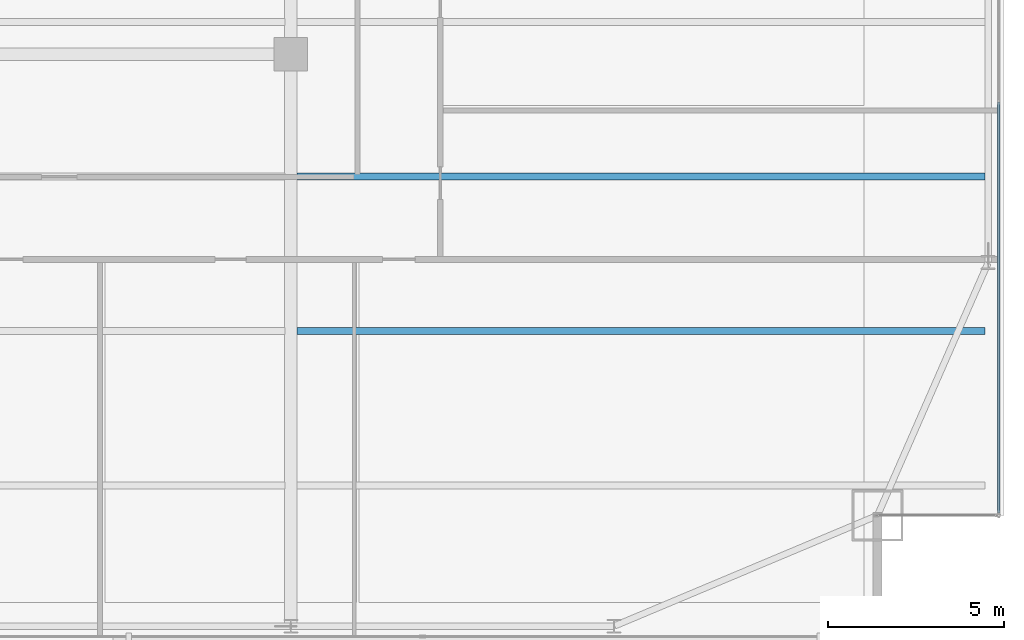
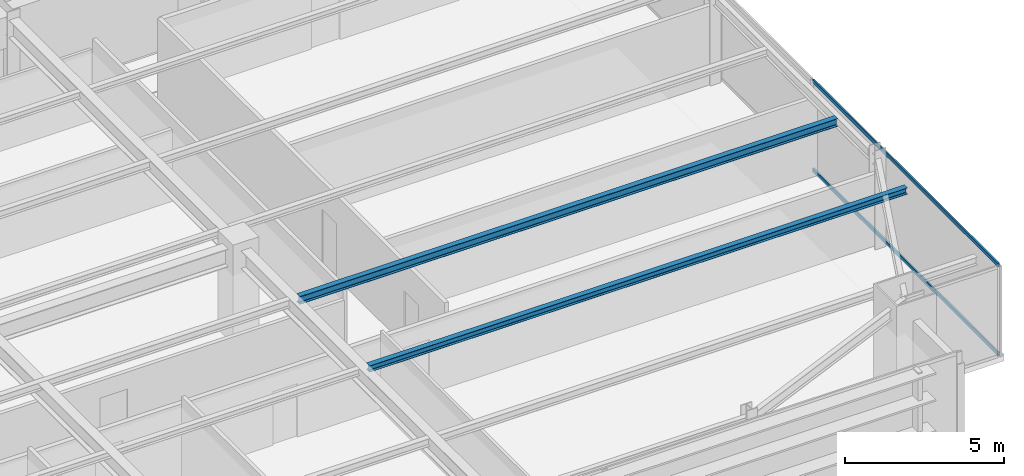
# One storey, part 17 of 33: 2 beams, 2 members, 1 element without a shape of its own.
"""IFC4 building model written with IfcOpenShell, lengths in metres."""

from ifc_helpers import new_model, si_unit, direction, frame, origin, origin_2d, place, context, subcontext, project, spatial, hollow_rectangle, i_section, extrude, source, transform, mapped, material, layer, layer_set, material_profile, profile_set, type_object, type_shapes, element, aggregate, save


model = new_model("IFC4")

# Units and contexts
model_context = context("Model", 3, precision=1e-05, world=origin(), true_north=direction((0.0, 1.0)))
body_context = subcontext(model_context, "Body", "Model", "MODEL_VIEW")
ifc_project = project(units=[si_unit("LENGTHUNIT", "METRE"), si_unit("AREAUNIT", "SQUARE_METRE"), si_unit("VOLUMEUNIT", "CUBIC_METRE"), si_unit("PLANEANGLEUNIT", "RADIAN"), si_unit("MASSUNIT", "GRAM", prefix="KILO")], contexts=[model_context])

# Site, building, storey
site_placement = place(None, origin())
site = spatial("IfcSite", under=ifc_project, at=site_placement, CompositionType="ELEMENT")
building_placement = place(site_placement, origin())
building = spatial("IfcBuilding", under=site, at=building_placement, Name="Varnel Quay Broadcast Tower", CompositionType="ELEMENT")
storey_placement = place(building_placement, frame((0.0, 0.0, 137.199951171875)))
storey = spatial("IfcBuildingStorey", under=building, at=storey_placement, Name="L33", CompositionType="ELEMENT", Elevation=137.199951171875)

# Beams
ifc_material_1 = material(Name="Structural Steel CSA G40.21 350W", Category="steel")
ifc_material_profile_1 = material_profile(ifc_material_1, i_section(OverallWidth=0.202880859375, OverallDepth=0.302978515625, WebThickness=0.007568359375, FlangeThickness=0.01318359375, FilletRadius=0.011962890625, at=origin_2d()), Name="W310X60")
ifc_profile_set_1 = profile_set([ifc_material_profile_1], Name="Structural Steel CSA G40.21 350W")
beam_type_1 = type_object("IfcBeamType", Name="Beam_W310X60", PredefinedType="JOIST", material=ifc_profile_set_1)
shared_shape_1 = source(origin(), body_context, "Body", "SweptSolid", [
    extrude(i_section(OverallWidth=0.202880859375, OverallDepth=0.302978515625, WebThickness=0.007568359375, FlangeThickness=0.01318359375, FilletRadius=0.011962890625, at=origin_2d()), origin(), (0.0, 0.0, 1.0), 19.592041015625),
])
type_shapes(beam_type_1, [shared_shape_1])
beam_1_placement = place(storey_placement, frame((43.37255859375, 17.449951171875, 3.32861328125), z_axis=(1.0, 0.0, 0.0), x_axis=(0.0, 1.0, 0.0)))
element("IfcBeam", 1, at=beam_1_placement, inside=storey, type_object=beam_type_1, Name="L33 East Floor Joist 3", PredefinedType="JOIST", context=body_context, shape_type="MappedRepresentation", body=[
    mapped(shared_shape_1, transform((0.0, 0.0, 0.0), x_axis=(1.0, 0.0, 0.0), y_axis=(0.0, 1.0, 0.0), z_axis=(0.0, 0.0, 1.0), scale=1.0)),
])
ifc_material_profile_2 = material_profile(ifc_material_1, i_section(OverallWidth=0.201904296875, OverallDepth=0.2470703125, WebThickness=0.00732421875, FlangeThickness=0.010986328125, FilletRadius=0.010986328125, at=origin_2d()), Name="W250X49")
ifc_profile_set_2 = profile_set([ifc_material_profile_2], Name="Structural Steel CSA G40.21 350W")
beam_type_2 = type_object("IfcBeamType", Name="Beam_W250X49", PredefinedType="JOIST", material=ifc_profile_set_2)
shared_shape_2 = source(origin(), body_context, "Body", "SweptSolid", [
    extrude(i_section(OverallWidth=0.201904296875, OverallDepth=0.2470703125, WebThickness=0.00732421875, FlangeThickness=0.010986328125, FilletRadius=0.010986328125, at=origin_2d()), origin(), (0.0, 0.0, 1.0), 19.592041015625),
])
type_shapes(beam_type_2, [shared_shape_2])
beam_2_placement = place(storey_placement, frame((43.37255859375, 13.050048828125, 3.3564453125), z_axis=(1.0, 0.0, 0.0), x_axis=(0.0, 1.0, 0.0)))
element("IfcBeam", 2, at=beam_2_placement, inside=storey, type_object=beam_type_2, Name="L33 East Floor Joist 2", PredefinedType="JOIST", context=body_context, shape_type="MappedRepresentation", body=[
    mapped(shared_shape_2, transform((0.0, 0.0, 0.0), x_axis=(1.0, 0.0, 0.0), y_axis=(0.0, 1.0, 0.0), z_axis=(0.0, 0.0, 1.0), scale=1.0)),
])

# Curtain wall, members
ifc_material_2 = material(Name="Anodised Bronze Aluminium 6063-T6", Category="aluminium")
ifc_layer = layer(ifc_material_2, 0.18994140625, Name="Anodised Bronze Aluminium 6063-T6")
ifc_layer_set = layer_set([ifc_layer], Name="Anodised Bronze Aluminium 6063-T6")
curtain_wall_type = type_object("IfcCurtainWallType", Name="CW_LowerTower", PredefinedType="NOTDEFINED", material=ifc_layer_set)
curtain_wall_placement = place(storey_placement, origin())
curtain_wall = element("IfcCurtainWall", 3, at=curtain_wall_placement, inside=storey, type_object=curtain_wall_type, Name="L33 East Unitised Curtain Wall", PredefinedType="NOTDEFINED")
ifc_material_profile_3 = material_profile(ifc_material_2, hollow_rectangle(XDim=0.06005859375, YDim=0.14501953125, WallThickness=0.00341796875, at=origin_2d()), Name="ALU60X145X3.5")
ifc_profile_set_3 = profile_set([ifc_material_profile_3], Name="Anodised Bronze Aluminium 6063-T6")
member_type = type_object("IfcMemberType", Name="Tran_CWS-02", PredefinedType="USERDEFINED", material=ifc_profile_set_3)
shared_shape_3 = source(origin(), body_context, "Body", "SweptSolid", [
    extrude(hollow_rectangle(XDim=0.06005859375, YDim=0.14501953125, WallThickness=0.00341796875, at=origin_2d()), origin(), (0.0, 0.0, 1.0), 11.69482421875),
])
type_shapes(member_type, [shared_shape_3])
member_1_placement = place(storey_placement, frame((63.35009765625, 7.8701171875, 0.030029296875), z_axis=(0.0, 1.0, 0.0), x_axis=(-1.0, 0.0, 0.0)))
member_1 = element("IfcMember", 4, at=member_1_placement, type_object=member_type, Name="CWS-02 transom 1.1", ObjectType="TRANSOM", PredefinedType="USERDEFINED", context=body_context, shape_type="MappedRepresentation", body=[
    mapped(shared_shape_3, transform((0.0, 0.0, 0.0), x_axis=(1.0, 0.0, 0.0), y_axis=(0.0, 1.0, 0.0), z_axis=(0.0, 0.0, 1.0), scale=1.0)),
])
member_2_placement = place(storey_placement, frame((63.35009765625, 7.8701171875, 3.449951171875), z_axis=(0.0, 1.0, 0.0), x_axis=(-1.0, 0.0, 0.0)))
member_2 = element("IfcMember", 5, at=member_2_placement, type_object=member_type, Name="CWS-02 transom 1.2", ObjectType="TRANSOM", PredefinedType="USERDEFINED", context=body_context, shape_type="MappedRepresentation", body=[
    mapped(shared_shape_3, transform((0.0, 0.0, 0.0), x_axis=(1.0, 0.0, 0.0), y_axis=(0.0, 1.0, 0.0), z_axis=(0.0, 0.0, 1.0), scale=1.0)),
])
aggregate(curtain_wall, [member_1, member_2])

save(model, "model.ifc")
